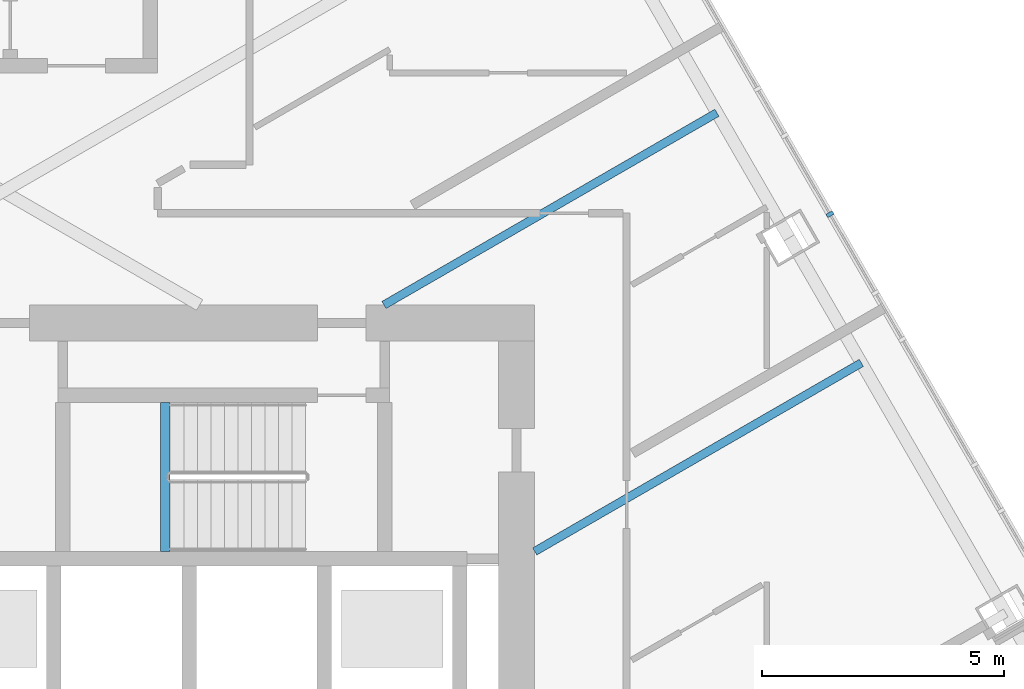
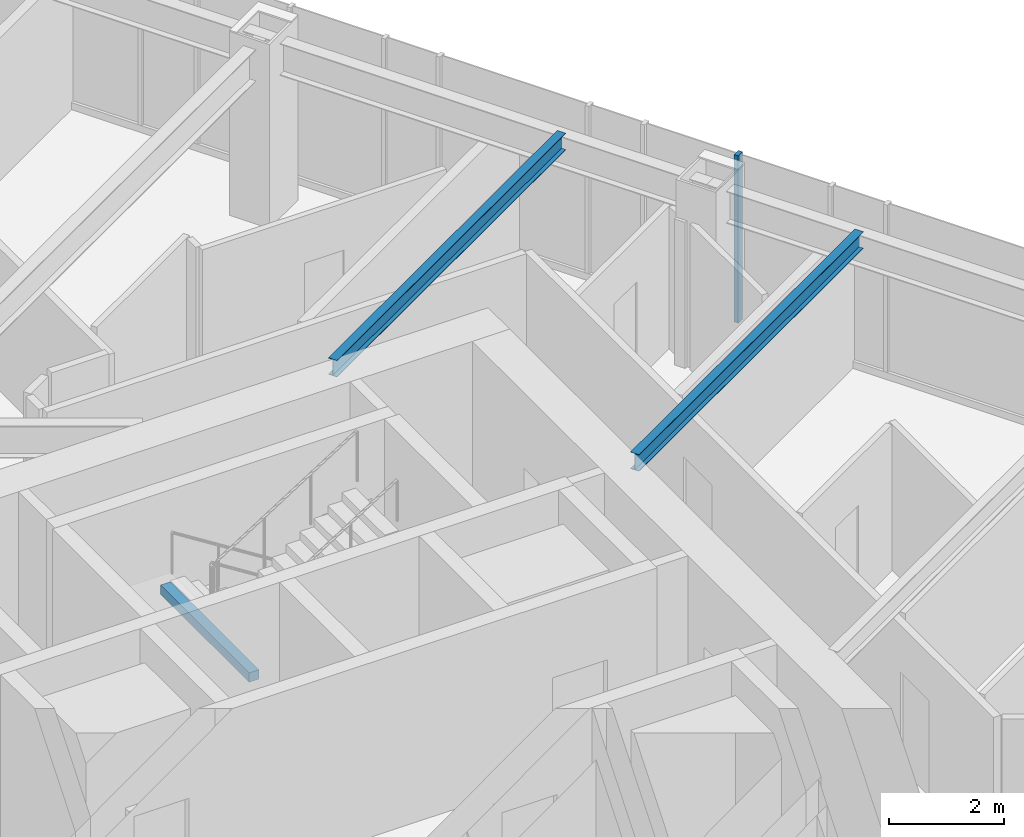
# One storey, part 8 of 26: 3 beams, 1 member, 1 element without a shape of its own.
"""IFC4 building model written with IfcOpenShell, lengths in metres."""

from ifc_helpers import new_model, si_unit, direction, frame, origin, origin_2d, place, context, subcontext, project, spatial, rectangle, i_section, extrude, material, layer, layer_set, material_profile, profile_set, type_object, element, aggregate, save


model = new_model("IFC4")

# Units and contexts
model_context = context("Model", 3, precision=1e-05, world=origin(), true_north=direction((0.0, 1.0)))
body_context = subcontext(model_context, "Body", "Model", "MODEL_VIEW")
ifc_project = project(units=[si_unit("LENGTHUNIT", "METRE"), si_unit("AREAUNIT", "SQUARE_METRE"), si_unit("VOLUMEUNIT", "CUBIC_METRE"), si_unit("PLANEANGLEUNIT", "RADIAN"), si_unit("MASSUNIT", "GRAM", prefix="KILO")], contexts=[model_context])

# Site, building, storey
site_placement = place(None, origin())
site = spatial("IfcSite", under=ifc_project, at=site_placement, CompositionType="ELEMENT")
building_placement = place(site_placement, origin())
building = spatial("IfcBuilding", under=site, at=building_placement, Name="Firuza Gate Tower and Library", CompositionType="ELEMENT")
storey_placement = place(building_placement, frame((0.0, 0.0, 175.300048828125)))
storey = spatial("IfcBuildingStorey", under=building, at=storey_placement, Name="L40", CompositionType="ELEMENT", Elevation=175.300048828125)

# Curtain wall, member
ifc_material_1 = material(Name="Aluminium 6063-T6", Category="aluminium")
ifc_layer = layer(ifc_material_1, 0.14990234375)
ifc_layer_set = layer_set([ifc_layer], Name="Unitised curtain wall, hotel")
curtain_wall_type = type_object("IfcCurtainWallType", Name="Unitised curtain wall, hotel", PredefinedType="NOTDEFINED", material=ifc_layer_set)
curtain_wall_placement = place(storey_placement, origin())
curtain_wall = element("IfcCurtainWall", 1, at=curtain_wall_placement, inside=storey, type_object=curtain_wall_type, Name="CW2 L40 E face", PredefinedType="NOTDEFINED")
ifc_material_2 = material(Name="Aluminium 6063-T6", Category="aluminium")
ifc_material_profile_1 = material_profile(ifc_material_2, rectangle(XDim=0.14990234375, YDim=0.080078125, at=origin_2d()))
ifc_profile_set_1 = profile_set([ifc_material_profile_1], Name="Aluminium 6063-T6")
member_type = type_object("IfcMemberType", Name="Curtain wall mullion 80x150", PredefinedType="MULLION", material=ifc_profile_set_1)
member_placement = place(storey_placement, frame((92.10791015625, 84.877197265625, 0.14990234375), z_axis=(0.0, 0.0, 1.0), x_axis=(-0.866025403784, -0.5, 0.0)))
member = element("IfcMember", 2, at=member_placement, type_object=member_type, Name="Mullion", PredefinedType="MULLION", context=body_context, shape_type="SweptSolid", body=[
    extrude(rectangle(XDim=0.14990234375, YDim=0.080078125, at=origin_2d()), origin(), (0.0, 0.0, 1.0), 3.550048828125),
])
aggregate(curtain_wall, [member])

# Beams
ifc_material_3 = material(Name="Concrete C35/45", Category="concrete")
ifc_material_profile_2 = material_profile(ifc_material_3, rectangle(XDim=0.199951171875, YDim=0.199951171875, at=origin_2d()))
ifc_profile_set_2 = profile_set([ifc_material_profile_2], Name="Concrete C35/45")
beam_type_1 = type_object("IfcBeamType", Name="Stair landing bearer 200x200", PredefinedType="BEAM", material=ifc_profile_set_2)
beam_1_placement = place(storey_placement, frame((78.360107421875, 80.97998046875, 1.64990234375), z_axis=(0.0, -1.0, 0.0), x_axis=(1.0, 0.0, 0.0)))
element("IfcBeam", 3, at=beam_1_placement, inside=storey, type_object=beam_type_1, Name="Landing bearer L40 stair 2", PredefinedType="BEAM", context=body_context, shape_type="SweptSolid", body=[
    extrude(rectangle(XDim=0.199951171875, YDim=0.199951171875, at=origin_2d()), origin(), (0.0, 0.0, 1.0), 3.080078125),
])
ifc_material_4 = material(Name="Steel S355", Category="steel")
ifc_material_profile_3 = material_profile(ifc_material_4, i_section(OverallWidth=0.1708984375, OverallDepth=0.35498046875, WebThickness=0.007080078125, FlangeThickness=0.01171875, at=origin_2d()))
ifc_profile_set_3 = profile_set([ifc_material_profile_3], Name="Steel S355")
beam_type_2 = type_object("IfcBeamType", Name="W360x51 Floor beam", PredefinedType="JOIST", material=ifc_profile_set_3)
beam_2_placement = place(storey_placement, frame((92.757080078125, 81.802734375, 3.5224609375), z_axis=(-0.866016236382, -0.500015878071, 0.0), x_axis=(0.500015878071, -0.866016236382, 0.0)))
element("IfcBeam", 4, at=beam_2_placement, inside=storey, type_object=beam_type_2, Name="Floor beam L40 s52", PredefinedType="JOIST", context=body_context, shape_type="SweptSolid", body=[
    extrude(i_section(OverallWidth=0.1708984375, OverallDepth=0.35498046875, WebThickness=0.007080078125, FlangeThickness=0.01171875, at=origin_2d()), origin(), (0.0, 0.0, 1.0), 7.802490234375),
])
beam_3_placement = place(storey_placement, frame((89.769775390625, 86.976806640625, 3.5224609375), z_axis=(-0.866022521394, -0.500004992414, 0.0), x_axis=(0.500004992414, -0.866022521394, 0.0)))
element("IfcBeam", 5, at=beam_3_placement, inside=storey, type_object=beam_type_2, Name="Floor beam L40 s53", PredefinedType="JOIST", context=body_context, shape_type="SweptSolid", body=[
    extrude(i_section(OverallWidth=0.1708984375, OverallDepth=0.35498046875, WebThickness=0.007080078125, FlangeThickness=0.01171875, at=origin_2d()), origin(), (0.0, 0.0, 1.0), 7.95361328125),
])

save(model, "model.ifc")
